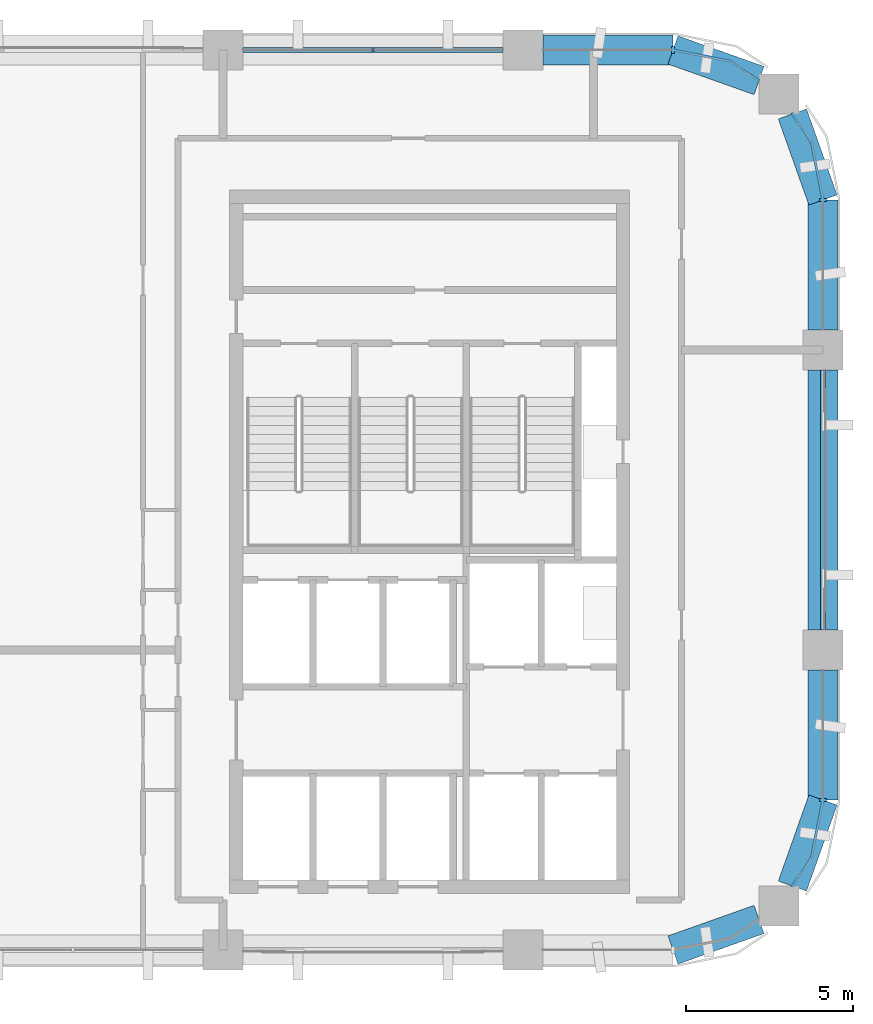
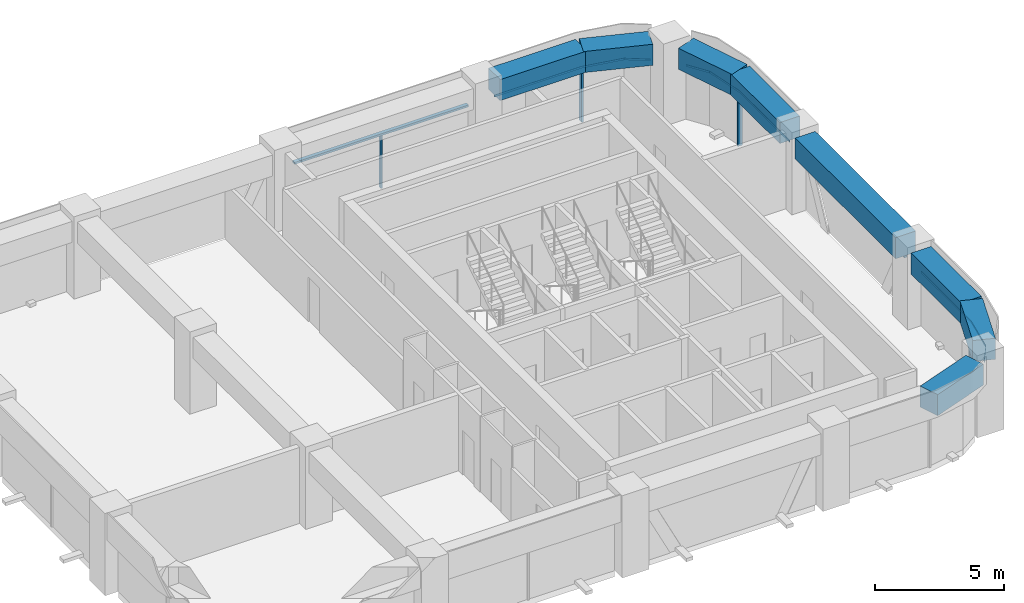
# One storey, part 4 of 9: 9 members, 8 beams, 5 elements without a shape of their own.
"""IFC4 building model written with IfcOpenShell, lengths in metres."""

from ifc_helpers import new_model, si_unit, direction, frame, origin, origin_2d, place, context, subcontext, project, spatial, polyline, rectangle, outline, extrude, material, material_profile, profile_set, type_object, element, aggregate, save


model = new_model("IFC4")

# Units and contexts
model_context = context("Model", 3, precision=1e-05, world=origin(), true_north=direction((0.0, 1.0)))
body_context = subcontext(model_context, "Body", "Model", "MODEL_VIEW")
ifc_project = project(units=[si_unit("LENGTHUNIT", "METRE"), si_unit("AREAUNIT", "SQUARE_METRE"), si_unit("VOLUMEUNIT", "CUBIC_METRE"), si_unit("PLANEANGLEUNIT", "RADIAN"), si_unit("MASSUNIT", "GRAM", prefix="KILO")], contexts=[model_context])

# Site, building, storey
site_placement = place(None, origin())
site = spatial("IfcSite", under=ifc_project, at=site_placement, CompositionType="ELEMENT")
building_placement = place(site_placement, origin())
building = spatial("IfcBuilding", under=site, at=building_placement, Name="Tessera Arch", CompositionType="ELEMENT")
storey_placement = place(building_placement, frame((0.0, 0.0, 277.39990234375)))
storey = spatial("IfcBuildingStorey", under=building, at=storey_placement, Name="L67", CompositionType="ELEMENT", Elevation=277.39990234375)

# Curtain wall, members
ifc_material_1 = material(Name="CW1 curtain wall")
curtain_wall_type_1 = type_object("IfcCurtainWallType", Name="CW1 curtain wall", PredefinedType="NOTDEFINED", material=ifc_material_1)
curtain_wall_1_placement = place(storey_placement, origin())
curtain_wall_1 = element("IfcCurtainWall", 1, at=curtain_wall_1_placement, inside=storey, type_object=curtain_wall_type_1, Name="CW1 curtain wall N54.18/1 L67", PredefinedType="NOTDEFINED")
ifc_material_2 = material(Name="Anodised aluminium pale metal", Category="aluminium")
ifc_material_profile_1 = material_profile(ifc_material_2, rectangle(XDim=0.159912109375, YDim=0.06005859375, at=origin_2d()), Name="AL 60x160")
ifc_profile_set_1 = profile_set([ifc_material_profile_1], Name="Anodised aluminium pale metal")
member_type_1 = type_object("IfcMemberType", Name="CW1 mullion", PredefinedType="MULLION", material=ifc_profile_set_1)
member_1_placement = place(storey_placement, frame((40.5, 54.0, 0.0), z_axis=(0.0, 0.0, 1.0), x_axis=(0.0, -1.0, 0.0)))
member_1 = element("IfcMember", 2, at=member_1_placement, type_object=member_type_1, Name="CW1 mullion N54.18/1 1", PredefinedType="MULLION", context=body_context, shape_type="SweptSolid", body=[
    extrude(rectangle(XDim=0.159912109375, YDim=0.06005859375, at=origin_2d()), origin(), (0.0, 0.0, 1.0), 2.5),
])
ifc_material_3 = material(Name="Anodised aluminium pale metal", Category="aluminium")
ifc_material_profile_2 = material_profile(ifc_material_3, rectangle(XDim=0.159912109375, YDim=0.10009765625, at=origin_2d()), Name="AL 160x100")
ifc_profile_set_2 = profile_set([ifc_material_profile_2], Name="Anodised aluminium pale metal")
member_type_2 = type_object("IfcMemberType", Name="CW1 transom", PredefinedType="USERDEFINED", material=ifc_profile_set_2)
member_2_placement = place(storey_placement, frame((44.39990234375, 54.0, 2.550048828125), z_axis=(-1.0, 0.0, 0.0), x_axis=(0.0, -1.0, 0.0)))
member_2 = element("IfcMember", 3, at=member_2_placement, type_object=member_type_2, Name="CW1 transom N54.18/1 1.1", ObjectType="TRANSOM", PredefinedType="USERDEFINED", context=body_context, shape_type="SweptSolid", body=[
    extrude(rectangle(XDim=0.159912109375, YDim=0.10009765625, at=origin_2d()), origin(), (0.0, 0.0, 1.0), 7.7998046875),
])
aggregate(curtain_wall_1, [member_1, member_2])

# Curtain wall, member
ifc_material_4 = material(Name="CW2 curtain wall")
curtain_wall_type_2 = type_object("IfcCurtainWallType", Name="CW2 curtain wall", PredefinedType="NOTDEFINED", material=ifc_material_4)
curtain_wall_2_placement = place(storey_placement, origin())
curtain_wall_2 = element("IfcCurtainWall", 4, at=curtain_wall_2_placement, inside=storey, type_object=curtain_wall_type_2, Name="CW2 curtain wall E54.27/1 L67", PredefinedType="NOTDEFINED")
ifc_material_5 = material(Name="Anodised aluminium pale metal", Category="aluminium")
ifc_material_profile_3 = material_profile(ifc_material_5, rectangle(XDim=0.199951171875, YDim=0.080078125, at=origin_2d()), Name="AL 80x200")
ifc_profile_set_3 = profile_set([ifc_material_profile_3], Name="Anodised aluminium pale metal")
member_type_3 = type_object("IfcMemberType", Name="CW2 mullion", PredefinedType="MULLION", material=ifc_profile_set_3)
member_3_placement = place(storey_placement, frame((54.0, 49.5, 0.0), z_axis=(0.0, 0.0, 1.0), x_axis=(-1.0, 0.0, 0.0)))
member_3 = element("IfcMember", 5, at=member_3_placement, type_object=member_type_3, Name="CW2 mullion E54.27/1 1", PredefinedType="MULLION", context=body_context, shape_type="SweptSolid", body=[
    extrude(rectangle(XDim=0.199951171875, YDim=0.080078125, at=origin_2d()), origin(), (0.0, 0.0, 1.0), 2.5),
])

curtain_wall_3_placement = place(storey_placement, origin())
curtain_wall_3 = element("IfcCurtainWall", 6, at=curtain_wall_3_placement, inside=storey, type_object=curtain_wall_type_2, Name="CW2 curtain wall N54.18/0 L67", PredefinedType="NOTDEFINED")
member_4_placement = place(storey_placement, frame((49.5, 54.0, 0.0), z_axis=(0.0, 0.0, 1.0), x_axis=(0.0, -1.0, 0.0)))
member_4 = element("IfcMember", 7, at=member_4_placement, type_object=member_type_3, Name="CW2 mullion N54.18/0 1", PredefinedType="MULLION", context=body_context, shape_type="SweptSolid", body=[
    extrude(rectangle(XDim=0.199951171875, YDim=0.080078125, at=origin_2d()), origin(), (0.0, 0.0, 1.0), 2.5),
])

curtain_wall_4_placement = place(storey_placement, origin())
curtain_wall_4 = element("IfcCurtainWall", 8, at=curtain_wall_4_placement, inside=storey, type_object=curtain_wall_type_2, Name="CW2 curtain wall E54.27/2 L67", PredefinedType="NOTDEFINED")
member_5_placement = place(storey_placement, frame((54.0, 31.5, 0.0), z_axis=(0.0, 0.0, 1.0), x_axis=(-1.0, 0.0, 0.0)))
member_5 = element("IfcMember", 9, at=member_5_placement, type_object=member_type_3, Name="CW2 mullion E54.27/2 1", PredefinedType="MULLION", context=body_context, shape_type="SweptSolid", body=[
    extrude(rectangle(XDim=0.199951171875, YDim=0.080078125, at=origin_2d()), origin(), (0.0, 0.0, 1.0), 2.5),
])

# Member
ifc_material_6 = material(Name="Anodised aluminium pale metal", Category="aluminium")
ifc_material_profile_4 = material_profile(ifc_material_6, rectangle(XDim=0.199951171875, YDim=0.10009765625, at=origin_2d()), Name="AL 200x100")
ifc_profile_set_4 = profile_set([ifc_material_profile_4], Name="Anodised aluminium pale metal")
member_type_4 = type_object("IfcMemberType", Name="CW2 transom", PredefinedType="USERDEFINED", material=ifc_profile_set_4)
member_6_placement = place(storey_placement, frame((0.0, 0.0, 2.5)))
member_6 = element("IfcMember", 10, at=member_6_placement, type_object=member_type_4, Name="CW2 transom E54.27/1 1", ObjectType="TRANSOM", PredefinedType="USERDEFINED", context=body_context, shape_type="SweptSolid", body=[
    extrude(outline(polyline([(53.989990234375, 49.4990234375), (53.989990234375, 45.60009765625), (54.010009765625, 45.60009765625), (54.010009765625, 49.5009765625), (53.6669921875, 51.22607421875), (53.09130859375, 52.087646484375), (53.07470703125, 52.076416015625), (53.648193359375, 51.21826171875), (53.989990234375, 49.4990234375)])), origin(), (0.0, 0.0, 1.0), 0.10009765625),
])

aggregate(curtain_wall_2, [member_3, member_6])

member_7_placement = place(storey_placement, frame((0.0, 0.0, 2.5)))
member_7 = element("IfcMember", 11, at=member_7_placement, type_object=member_type_4, Name="CW2 transom N54.18/0 1", ObjectType="TRANSOM", PredefinedType="USERDEFINED", context=body_context, shape_type="SweptSolid", body=[
    extrude(outline(polyline([(51.21826171875, 53.648193359375), (52.076416015625, 53.07470703125), (52.087646484375, 53.09130859375), (51.22607421875, 53.6669921875), (49.5009765625, 54.010009765625), (45.60009765625, 54.010009765625), (45.60009765625, 53.989990234375), (49.4990234375, 53.989990234375), (51.21826171875, 53.648193359375)])), origin(), (0.0, 0.0, 1.0), 0.10009765625),
])

aggregate(curtain_wall_3, [member_4, member_7])

member_8_placement = place(storey_placement, frame((0.0, 0.0, 2.5)))
member_8 = element("IfcMember", 12, at=member_8_placement, type_object=member_type_4, Name="CW2 transom E54.27/2 1", ObjectType="TRANSOM", PredefinedType="USERDEFINED", context=body_context, shape_type="SweptSolid", body=[
    extrude(outline(polyline([(53.648193359375, 29.78173828125), (53.07470703125, 28.923583984375), (53.09130859375, 28.912353515625), (53.6669921875, 29.77392578125), (54.010009765625, 31.4990234375), (54.010009765625, 35.39990234375), (53.989990234375, 35.39990234375), (53.989990234375, 31.5009765625), (53.648193359375, 29.78173828125)])), origin(), (0.0, 0.0, 1.0), 0.10009765625),
])

aggregate(curtain_wall_4, [member_5, member_8])

# Curtain wall, member
ifc_material_7 = material(Name="CW3 curtain wall")
curtain_wall_type_3 = type_object("IfcCurtainWallType", Name="CW3 curtain wall", PredefinedType="NOTDEFINED", material=ifc_material_7)
curtain_wall_5_placement = place(storey_placement, origin())
curtain_wall_5 = element("IfcCurtainWall", 13, at=curtain_wall_5_placement, inside=storey, type_object=curtain_wall_type_3, Name="CW3 curtain wall E54.27/0 L67", PredefinedType="NOTDEFINED")
ifc_material_8 = material(Name="Anodised aluminium pale metal", Category="aluminium")
ifc_material_profile_5 = material_profile(ifc_material_8, rectangle(XDim=0.139892578125, YDim=0.10009765625, at=origin_2d()), Name="AL 140x100")
ifc_profile_set_5 = profile_set([ifc_material_profile_5], Name="Anodised aluminium pale metal")
member_type_5 = type_object("IfcMemberType", Name="CW3 transom", PredefinedType="USERDEFINED", material=ifc_profile_set_5)
member_9_placement = place(storey_placement, frame((54.0, 36.60009765625, 2.550048828125), z_axis=(0.0, 1.0, 0.0), x_axis=(-1.0, 0.0, 0.0)))
member_9 = element("IfcMember", 14, at=member_9_placement, type_object=member_type_5, Name="CW3 transom E54.27/0 1.1", ObjectType="TRANSOM", PredefinedType="USERDEFINED", context=body_context, shape_type="SweptSolid", body=[
    extrude(rectangle(XDim=0.139892578125, YDim=0.10009765625, at=origin_2d()), origin(), (0.0, 0.0, 1.0), 7.7998046875),
])
aggregate(curtain_wall_5, [member_9])

# Beams
ifc_material_9 = material(Name="Concrete C60/75", Category="concrete")
ifc_material_profile_6 = material_profile(ifc_material_9, rectangle(XDim=0.89990234375, YDim=1.0, at=origin_2d()), Name="RC spandrel beam 900 x 1000 Concrete C60/75")
ifc_profile_set_6 = profile_set([ifc_material_profile_6], Name="Concrete C60/75")
beam_type = type_object("IfcBeamType", Name="RC spandrel beam 900 x 1000 Concrete C60/75", PredefinedType="BEAM", material=ifc_profile_set_6)
beam_1_placement = place(storey_placement, frame((54.0, 36.60009765625, 3.10009765625), z_axis=(0.0, 1.0, 0.0), x_axis=(-1.0, 0.0, 0.0)))
element("IfcBeam", 15, at=beam_1_placement, inside=storey, type_object=beam_type, Name="Spandrel beam L67 E54.27/0", PredefinedType="BEAM", context=body_context, shape_type="SweptSolid", body=[
    extrude(rectangle(XDim=0.89990234375, YDim=1.0, at=origin_2d()), origin(), (0.0, 0.0, 1.0), 7.7998046875),
])
beam_2_placement = place(storey_placement, frame((54.0, 45.60009765625, 3.10009765625), z_axis=(0.0, 1.0, 0.0), x_axis=(-1.0, 0.0, 0.0)))
element("IfcBeam", 16, at=beam_2_placement, inside=storey, type_object=beam_type, Name="Spandrel beam L67 E54.27/1.1", PredefinedType="BEAM", context=body_context, shape_type="SweptSolid", body=[
    extrude(rectangle(XDim=0.89990234375, YDim=1.0, at=origin_2d()), origin(), (0.0, 0.0, 1.0), 3.89990234375),
])
for number, where, z_axis, x_axis, name in (
    (17, (54.0, 49.5, 3.10009765625), (-0.334665114373, 0.942337127159, 0.0), (-0.942337127159, -0.334665114373, 0.0), "Spandrel beam L67 E54.27/1.2"),
    (18, (52.08203125, 53.0830078125, 3.10009765625), (-0.942337127159, 0.334665114373, 0.0), (-0.334665114373, -0.942337127159, 0.0), "Spandrel beam L67 N54.18/0.1"),
):
    element("IfcBeam", number, at=place(storey_placement, frame(where, z_axis=z_axis, x_axis=x_axis)), inside=storey, type_object=beam_type, Name=name, PredefinedType="BEAM", context=body_context, shape_type="SweptSolid", body=[
        extrude(rectangle(XDim=0.89990234375, YDim=1.0, at=origin_2d()), origin(), (0.0, 0.0, 1.0), 2.739990234375),
    ])
beam_3_placement = place(storey_placement, frame((49.5, 54.0, 3.10009765625), z_axis=(-1.0, 0.0, 0.0), x_axis=(0.0, -1.0, 0.0)))
element("IfcBeam", 19, at=beam_3_placement, inside=storey, type_object=beam_type, Name="Spandrel beam L67 N54.18/0.2", PredefinedType="BEAM", context=body_context, shape_type="SweptSolid", body=[
    extrude(rectangle(XDim=0.89990234375, YDim=1.0, at=origin_2d()), origin(), (0.0, 0.0, 1.0), 3.89990234375),
])
for number, where, z_axis, x_axis, name in (
    (20, (49.5, 27.0, 3.10009765625), (0.942337127159, 0.334665114373, 0.0), (-0.334665114373, 0.942337127159, 0.0), "Spandrel beam L67 S27.18/3.2"),
    (21, (53.0830078125, 28.91796875, 3.10009765625), (0.334665114373, 0.942337127159, 0.0), (-0.942337127159, 0.334665114373, 0.0), "Spandrel beam L67 E54.27/2.1"),
):
    element("IfcBeam", number, at=place(storey_placement, frame(where, z_axis=z_axis, x_axis=x_axis)), inside=storey, type_object=beam_type, Name=name, PredefinedType="BEAM", context=body_context, shape_type="SweptSolid", body=[
        extrude(rectangle(XDim=0.89990234375, YDim=1.0, at=origin_2d()), origin(), (0.0, 0.0, 1.0), 2.739990234375),
    ])
beam_4_placement = place(storey_placement, frame((54.0, 31.5, 3.10009765625), z_axis=(0.0, 1.0, 0.0), x_axis=(-1.0, 0.0, 0.0)))
element("IfcBeam", 22, at=beam_4_placement, inside=storey, type_object=beam_type, Name="Spandrel beam L67 E54.27/2.2", PredefinedType="BEAM", context=body_context, shape_type="SweptSolid", body=[
    extrude(rectangle(XDim=0.89990234375, YDim=1.0, at=origin_2d()), origin(), (0.0, 0.0, 1.0), 3.89990234375),
])

save(model, "model.ifc")
